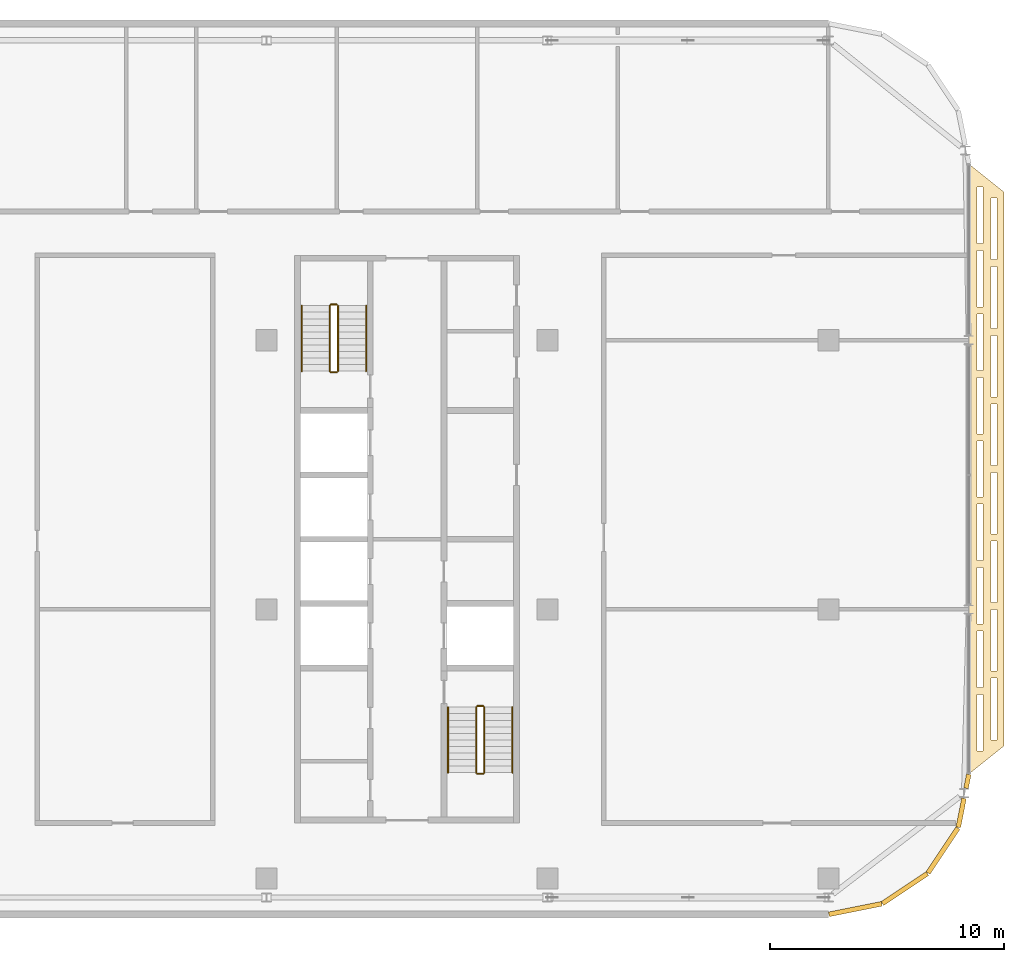
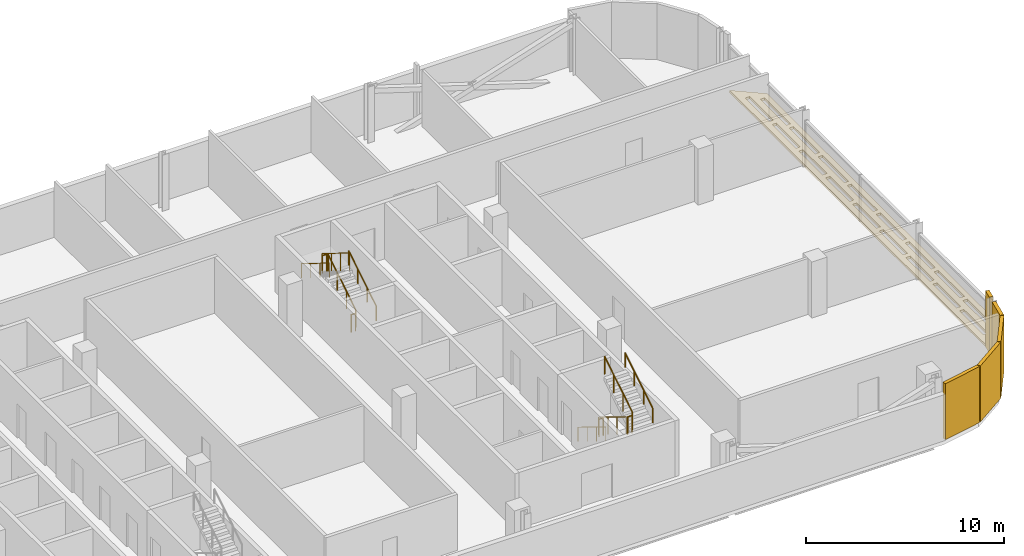
# One storey, part 28 of 29: 12 railings, 6 coverings.
"""IFC4 building model written with IfcOpenShell, lengths in metres."""

from ifc_helpers import new_model, si_unit, direction, frame, origin, origin_2d, place, context, subcontext, project, spatial, polyline, rectangle, circle, outline, extrude, material, layer, layer_set, type_object, element, save


model = new_model("IFC4")

# Units and contexts
model_context = context("Model", 3, precision=1e-05, world=origin(), true_north=direction((0.0, 1.0)))
body_context = subcontext(model_context, "Body", "Model", "MODEL_VIEW")
ifc_project = project(units=[si_unit("LENGTHUNIT", "METRE"), si_unit("AREAUNIT", "SQUARE_METRE"), si_unit("VOLUMEUNIT", "CUBIC_METRE"), si_unit("PLANEANGLEUNIT", "RADIAN"), si_unit("MASSUNIT", "GRAM", prefix="KILO")], contexts=[model_context])

# Site, building, storey
site_placement = place(None, origin())
site = spatial("IfcSite", under=ifc_project, at=site_placement, CompositionType="ELEMENT")
building_placement = place(site_placement, origin())
building = spatial("IfcBuilding", under=site, at=building_placement, Name="Mahtab Terrace Research Tower", CompositionType="ELEMENT")
storey_placement = place(building_placement, frame((0.0, 0.0, 274.699951171875)))
storey = spatial("IfcBuildingStorey", under=building, at=storey_placement, Name="L67", CompositionType="ELEMENT", Elevation=274.699951171875)

# Coverings
ifc_material_1 = material(Name="Black aluminium cladding panel", Category="aluminium")
ifc_layer_1 = layer(ifc_material_1, 0.199951171875)
ifc_layer_set_1 = layer_set([ifc_layer_1], Name="Black metal corner cladding 200")
covering_type_1 = type_object("IfcCoveringType", Name="Black metal corner cladding 200", PredefinedType="CLADDING", material=ifc_layer_set_1)
for number, where, z_axis, x_axis, name in (
    (1, (43.14794921875, -12.800537109375, 0.0), (0.0, 0.0, 1.0), (0.980760981187, 0.195212442692, 0.0), "Corner cladding L67 17"),
    (2, (45.26953125, -11.922119140625, 0.0), (0.0, 0.0, 1.0), (0.831655794326, 0.555291490808, 0.0), "Corner cladding L67 18"),
    (3, (46.89306640625, -10.298583984375, 0.0), (0.0, 0.0, 1.0), (0.555291490808, 0.831655794326, 0.0), "Corner cladding L67 19"),
):
    element("IfcCovering", number, at=place(storey_placement, frame(where, z_axis=z_axis, x_axis=x_axis)), inside=storey, type_object=covering_type_1, Name=name, PredefinedType="CLADDING", context=body_context, shape_type="SweptSolid", body=[
        extrude(rectangle(XDim=2.30126953125, YDim=0.199951171875, at=origin_2d()), origin(), (0.0, 0.0, 1.0), 3.4599609375),
    ])
covering_1_placement = place(storey_placement, frame((47.669677734375, -8.68896484375, 0.0), z_axis=(0.0, 0.0, 1.0), x_axis=(0.195212442692, 0.980760981187, 0.0)))
element("IfcCovering", 4, at=covering_1_placement, inside=storey, type_object=covering_type_1, Name="Corner cladding L67 20", PredefinedType="CLADDING", context=body_context, shape_type="SweptSolid", body=[
    extrude(rectangle(XDim=1.25732421875, YDim=0.199951171875, at=origin_2d()), origin(), (0.0, 0.0, 1.0), 3.4599609375),
])
covering_2_placement = place(storey_placement, frame((47.9375, -7.343505859375, 0.0), z_axis=(0.0, 0.0, 1.0), x_axis=(0.195212442692, 0.980760981187, 0.0)))
element("IfcCovering", 5, at=covering_2_placement, inside=storey, type_object=covering_type_1, Name="Corner cladding L67 21", PredefinedType="CLADDING", context=body_context, shape_type="SweptSolid", body=[
    extrude(rectangle(XDim=0.601806640625, YDim=0.199951171875, at=origin_2d()), origin(), (0.0, 0.0, 1.0), 3.4599609375),
])
ifc_material_2 = material(Name="Black anodised aluminium", Category="aluminium")
ifc_layer_2 = layer(ifc_material_2, 0.14990234375)
ifc_layer_set_2 = layer_set([ifc_layer_2], Name="Horizontal sunshade band")
covering_type_2 = type_object("IfcCoveringType", Name="Horizontal sunshade band", PredefinedType="CLADDING", material=ifc_layer_set_2)
covering_3_placement = place(storey_placement, frame((0.0, 0.0, -0.14990234375)))
element("IfcCovering", 6, at=covering_3_placement, inside=storey, type_object=covering_type_2, Name="Sunshade band L67 22", PredefinedType="CLADDING", context=body_context, shape_type="SweptSolid", body=[
    extrude(outline(polyline([(48.0, -7.029052734375), (48.0, 19.029052734375), (49.5, 17.8291015625), (49.5, -5.8291015625), (48.0, -7.029052734375)]), holes=[polyline([(48.35009765625, -6.049072265625), (48.35009765625, -3.637939453125), (48.60009765625, -3.637939453125), (48.60009765625, -6.049072265625), (48.35009765625, -6.049072265625)]), polyline([(48.35009765625, -3.337890625), (48.35009765625, -0.927001953125), (48.60009765625, -0.927001953125), (48.60009765625, -3.337890625), (48.35009765625, -3.337890625)]), polyline([(48.35009765625, -0.626953125), (48.35009765625, 1.783935546875), (48.60009765625, 1.783935546875), (48.60009765625, -0.626953125), (48.35009765625, -0.626953125)]), polyline([(48.35009765625, 2.083984375), (48.35009765625, 4.4951171875), (48.60009765625, 4.4951171875), (48.60009765625, 2.083984375), (48.35009765625, 2.083984375)]), polyline([(48.35009765625, 4.794921875), (48.35009765625, 7.205078125), (48.60009765625, 7.205078125), (48.60009765625, 4.794921875), (48.35009765625, 4.794921875)]), polyline([(48.35009765625, 7.5048828125), (48.35009765625, 9.916015625), (48.60009765625, 9.916015625), (48.60009765625, 7.5048828125), (48.35009765625, 7.5048828125)]), polyline([(48.35009765625, 10.216064453125), (48.35009765625, 12.626953125), (48.60009765625, 12.626953125), (48.60009765625, 10.216064453125), (48.35009765625, 10.216064453125)]), polyline([(48.35009765625, 12.927001953125), (48.35009765625, 15.337890625), (48.60009765625, 15.337890625), (48.60009765625, 12.927001953125), (48.35009765625, 12.927001953125)]), polyline([(48.35009765625, 15.637939453125), (48.35009765625, 18.049072265625), (48.60009765625, 18.049072265625), (48.60009765625, 15.637939453125), (48.35009765625, 15.637939453125)]), polyline([(48.949951171875, -5.569091796875), (48.949951171875, -2.93896484375), (49.199951171875, -2.93896484375), (49.199951171875, -5.569091796875), (48.949951171875, -5.569091796875)]), polyline([(48.949951171875, -2.638916015625), (48.949951171875, -0.010009765625), (49.199951171875, -0.010009765625), (49.199951171875, -2.638916015625), (48.949951171875, -2.638916015625)]), polyline([(48.949951171875, 0.2900390625), (48.949951171875, 2.919921875), (49.199951171875, 2.919921875), (49.199951171875, 0.2900390625), (48.949951171875, 0.2900390625)]), polyline([(48.949951171875, 3.219970703125), (48.949951171875, 5.85009765625), (49.199951171875, 5.85009765625), (49.199951171875, 3.219970703125), (48.949951171875, 3.219970703125)]), polyline([(48.949951171875, 6.14990234375), (48.949951171875, 8.780029296875), (49.199951171875, 8.780029296875), (49.199951171875, 6.14990234375), (48.949951171875, 6.14990234375)]), polyline([(48.949951171875, 9.080078125), (48.949951171875, 11.708984375), (49.199951171875, 11.708984375), (49.199951171875, 9.080078125), (48.949951171875, 9.080078125)]), polyline([(48.949951171875, 12.009033203125), (48.949951171875, 14.638916015625), (49.199951171875, 14.638916015625), (49.199951171875, 12.009033203125), (48.949951171875, 12.009033203125)]), polyline([(48.949951171875, 14.93896484375), (48.949951171875, 17.569091796875), (49.199951171875, 17.569091796875), (49.199951171875, 14.93896484375), (48.949951171875, 14.93896484375)])]), origin(), (0.0, 0.0, 1.0), 0.14990234375),
])

# Railings
ifc_material_3 = material(Name="Stainless steel AISI 304", Category="steel")
railing_type_1 = type_object("IfcRailingType", Name="Stair guard 1100", PredefinedType="GUARDRAIL", material=ifc_material_3)
railing_1_placement = place(storey_placement, frame((21.050048828125, 10.175048828125, 0.1728515625)))
element("IfcRailing", 7, at=railing_1_placement, inside=storey, type_object=railing_type_1, Name="L67 ST3 stair guard 1", PredefinedType="GUARDRAIL", context=body_context, shape_type="SweptSolid", body=[
    extrude(circle(Radius=0.02392578125, at=origin_2d()), frame((0.0, 0.0, 1.076171875), z_axis=(0.0, 0.851089632645, 0.525020415988), x_axis=(-1.0, 0.0, 0.0)), (0.0, 0.0, 1.0), 3.2900390625),
    extrude(circle(Radius=0.02099609375, at=origin_2d()), origin(), (0.0, 0.0, 1.0), 1.052001953125),
    extrude(circle(Radius=0.02099609375, at=origin_2d()), frame((0.0, 0.933349609375, 0.57568359375)), (0.0, 0.0, 1.0), 1.052001953125),
    extrude(circle(Radius=0.02099609375, at=origin_2d()), frame((0.0, 1.86669921875, 1.151611328125)), (0.0, 0.0, 1.0), 1.052001953125),
    extrude(circle(Radius=0.02099609375, at=origin_2d()), frame((0.0, 2.800048828125, 1.727294921875)), (0.0, 0.0, 1.0), 1.052001953125),
])
railing_2_placement = place(storey_placement, frame((21.0, 13.02490234375, 1.900146484375)))
element("IfcRailing", 8, at=railing_2_placement, inside=storey, type_object=railing_type_1, Name="L67 ST3 stair guard 2", PredefinedType="GUARDRAIL", context=body_context, shape_type="SweptSolid", body=[
    extrude(circle(Radius=0.02392578125, at=origin_2d()), frame((0.0, 0.0, 1.076171875), z_axis=(-1.0, 0.0, 0.0), x_axis=(0.0, -1.0, 0.0)), (0.0, 0.0, 1.0), 0.25),
    extrude(circle(Radius=0.02099609375, at=origin_2d()), origin(), (0.0, 0.0, 1.0), 1.052001953125),
    extrude(circle(Radius=0.02099609375, at=origin_2d()), frame((-0.25, 0.0, 0.0)), (0.0, 0.0, 1.0), 1.052001953125),
])
railing_3_placement = place(storey_placement, frame((20.699951171875, 12.97509765625, 2.07275390625)))
element("IfcRailing", 9, at=railing_3_placement, inside=storey, type_object=railing_type_1, Name="L67 ST3 stair guard 3", PredefinedType="GUARDRAIL", context=body_context, shape_type="SweptSolid", body=[
    extrude(circle(Radius=0.02392578125, at=origin_2d()), frame((0.0, 0.0, 1.076171875), z_axis=(0.0, -0.851089632645, 0.525020415988), x_axis=(1.0, 0.0, 0.0)), (0.0, 0.0, 1.0), 3.2900390625),
    extrude(circle(Radius=0.02099609375, at=origin_2d()), origin(), (0.0, 0.0, 1.0), 1.052001953125),
    extrude(circle(Radius=0.02099609375, at=origin_2d()), frame((0.0, -0.933349609375, 0.57568359375)), (0.0, 0.0, 1.0), 1.052001953125),
    extrude(circle(Radius=0.02099609375, at=origin_2d()), frame((0.0, -1.86669921875, 1.151611328125)), (0.0, 0.0, 1.0), 1.052001953125),
    extrude(circle(Radius=0.02099609375, at=origin_2d()), frame((0.0, -2.800048828125, 1.727294921875)), (0.0, 0.0, 1.0), 1.052001953125),
])
railing_4_placement = place(storey_placement, frame((21.0, 10.125, 0.0)))
element("IfcRailing", 10, at=railing_4_placement, inside=storey, type_object=railing_type_1, Name="L67 ST3 stair guard 4", PredefinedType="GUARDRAIL", context=body_context, shape_type="SweptSolid", body=[
    extrude(circle(Radius=0.02392578125, at=origin_2d()), frame((0.0, 0.0, 1.076171875), z_axis=(-1.0, 0.0, 0.0), x_axis=(0.0, -1.0, 0.0)), (0.0, 0.0, 1.0), 0.25),
    extrude(circle(Radius=0.02099609375, at=origin_2d()), origin(), (0.0, 0.0, 1.0), 1.052001953125),
    extrude(circle(Radius=0.02099609375, at=origin_2d()), frame((-0.25, 0.0, 0.0)), (0.0, 0.0, 1.0), 1.052001953125),
])
railing_5_placement = place(storey_placement, frame((26.949951171875, -4.175048828125, 0.1728515625)))
element("IfcRailing", 11, at=railing_5_placement, inside=storey, type_object=railing_type_1, Name="L67 ST4 stair guard 1", PredefinedType="GUARDRAIL", context=body_context, shape_type="SweptSolid", body=[
    extrude(circle(Radius=0.02392578125, at=origin_2d()), frame((0.0, 0.0, 1.076171875), z_axis=(0.0, -0.851089632645, 0.525020415988), x_axis=(1.0, 0.0, 0.0)), (0.0, 0.0, 1.0), 3.2900390625),
    extrude(circle(Radius=0.02099609375, at=origin_2d()), origin(), (0.0, 0.0, 1.0), 1.052001953125),
    extrude(circle(Radius=0.02099609375, at=origin_2d()), frame((0.0, -0.933349609375, 0.57568359375)), (0.0, 0.0, 1.0), 1.052001953125),
    extrude(circle(Radius=0.02099609375, at=origin_2d()), frame((0.0, -1.86669921875, 1.151611328125)), (0.0, 0.0, 1.0), 1.052001953125),
    extrude(circle(Radius=0.02099609375, at=origin_2d()), frame((0.0, -2.800048828125, 1.727294921875)), (0.0, 0.0, 1.0), 1.052001953125),
])
railing_6_placement = place(storey_placement, frame((27.0, -7.02490234375, 1.900146484375)))
element("IfcRailing", 12, at=railing_6_placement, inside=storey, type_object=railing_type_1, Name="L67 ST4 stair guard 2", PredefinedType="GUARDRAIL", context=body_context, shape_type="SweptSolid", body=[
    extrude(circle(Radius=0.02392578125, at=origin_2d()), frame((0.0, 0.0, 1.076171875), z_axis=(1.0, 0.0, 0.0), x_axis=(0.0, 1.0, 0.0)), (0.0, 0.0, 1.0), 0.25),
    extrude(circle(Radius=0.02099609375, at=origin_2d()), origin(), (0.0, 0.0, 1.0), 1.052001953125),
    extrude(circle(Radius=0.02099609375, at=origin_2d()), frame((0.25, 0.0, 0.0)), (0.0, 0.0, 1.0), 1.052001953125),
])
railing_7_placement = place(storey_placement, frame((27.300048828125, -6.97509765625, 2.07275390625)))
element("IfcRailing", 13, at=railing_7_placement, inside=storey, type_object=railing_type_1, Name="L67 ST4 stair guard 3", PredefinedType="GUARDRAIL", context=body_context, shape_type="SweptSolid", body=[
    extrude(circle(Radius=0.02392578125, at=origin_2d()), frame((0.0, 0.0, 1.076171875), z_axis=(0.0, 0.851089632645, 0.525020415988), x_axis=(-1.0, 0.0, 0.0)), (0.0, 0.0, 1.0), 3.2900390625),
    extrude(circle(Radius=0.02099609375, at=origin_2d()), origin(), (0.0, 0.0, 1.0), 1.052001953125),
    extrude(circle(Radius=0.02099609375, at=origin_2d()), frame((0.0, 0.933349609375, 0.57568359375)), (0.0, 0.0, 1.0), 1.052001953125),
    extrude(circle(Radius=0.02099609375, at=origin_2d()), frame((0.0, 1.86669921875, 1.151611328125)), (0.0, 0.0, 1.0), 1.052001953125),
    extrude(circle(Radius=0.02099609375, at=origin_2d()), frame((0.0, 2.800048828125, 1.727294921875)), (0.0, 0.0, 1.0), 1.052001953125),
])
railing_8_placement = place(storey_placement, frame((27.0, -4.125, 0.0)))
element("IfcRailing", 14, at=railing_8_placement, inside=storey, type_object=railing_type_1, Name="L67 ST4 stair guard 4", PredefinedType="GUARDRAIL", context=body_context, shape_type="SweptSolid", body=[
    extrude(circle(Radius=0.02392578125, at=origin_2d()), frame((0.0, 0.0, 1.076171875), z_axis=(1.0, 0.0, 0.0), x_axis=(0.0, 1.0, 0.0)), (0.0, 0.0, 1.0), 0.25),
    extrude(circle(Radius=0.02099609375, at=origin_2d()), origin(), (0.0, 0.0, 1.0), 1.052001953125),
    extrude(circle(Radius=0.02099609375, at=origin_2d()), frame((0.25, 0.0, 0.0)), (0.0, 0.0, 1.0), 1.052001953125),
])
railing_type_2 = type_object("IfcRailingType", Name="Stair handrail 900", PredefinedType="HANDRAIL", material=ifc_material_3)
railing_9_placement = place(storey_placement, frame((22.25, 10.175048828125, 0.1728515625)))
element("IfcRailing", 15, at=railing_9_placement, inside=storey, type_object=railing_type_2, Name="L67 ST3 stair handrail 1", PredefinedType="HANDRAIL", context=body_context, shape_type="SweptSolid", body=[
    extrude(circle(Radius=0.02392578125, at=origin_2d()), frame((0.0, 0.0, 0.8759765625), z_axis=(0.0, 0.851089632645, 0.525020415988), x_axis=(-1.0, 0.0, 0.0)), (0.0, 0.0, 1.0), 3.2900390625),
    extrude(circle(Radius=0.02099609375, at=origin_2d()), origin(), (0.0, 0.0, 1.0), 0.851806640625),
    extrude(circle(Radius=0.02099609375, at=origin_2d()), frame((0.0, 0.933349609375, 0.57568359375)), (0.0, 0.0, 1.0), 0.851806640625),
    extrude(circle(Radius=0.02099609375, at=origin_2d()), frame((0.0, 1.86669921875, 1.151611328125)), (0.0, 0.0, 1.0), 0.851806640625),
    extrude(circle(Radius=0.02099609375, at=origin_2d()), frame((0.0, 2.800048828125, 1.727294921875)), (0.0, 0.0, 1.0), 0.851806640625),
])
for number, where, name in (
    (16, (19.5, 12.97509765625, 2.07275390625), "L67 ST3 stair handrail 2"),
    (17, (25.75, -4.175048828125, 0.1728515625), "L67 ST4 stair handrail 1"),
):
    element("IfcRailing", number, at=place(storey_placement, frame(where)), inside=storey, type_object=railing_type_2, Name=name, PredefinedType="HANDRAIL", context=body_context, shape_type="SweptSolid", body=[
        extrude(circle(Radius=0.02392578125, at=origin_2d()), frame((0.0, 0.0, 0.8759765625), z_axis=(0.0, -0.851089632645, 0.525020415988), x_axis=(1.0, 0.0, 0.0)), (0.0, 0.0, 1.0), 3.2900390625),
        extrude(circle(Radius=0.02099609375, at=origin_2d()), origin(), (0.0, 0.0, 1.0), 0.851806640625),
        extrude(circle(Radius=0.02099609375, at=origin_2d()), frame((0.0, -0.933349609375, 0.57568359375)), (0.0, 0.0, 1.0), 0.851806640625),
        extrude(circle(Radius=0.02099609375, at=origin_2d()), frame((0.0, -1.86669921875, 1.151611328125)), (0.0, 0.0, 1.0), 0.851806640625),
        extrude(circle(Radius=0.02099609375, at=origin_2d()), frame((0.0, -2.800048828125, 1.727294921875)), (0.0, 0.0, 1.0), 0.851806640625),
    ])
railing_10_placement = place(storey_placement, frame((28.5, -6.97509765625, 2.07275390625)))
element("IfcRailing", 18, at=railing_10_placement, inside=storey, type_object=railing_type_2, Name="L67 ST4 stair handrail 2", PredefinedType="HANDRAIL", context=body_context, shape_type="SweptSolid", body=[
    extrude(circle(Radius=0.02392578125, at=origin_2d()), frame((0.0, 0.0, 0.8759765625), z_axis=(0.0, 0.851089632645, 0.525020415988), x_axis=(-1.0, 0.0, 0.0)), (0.0, 0.0, 1.0), 3.2900390625),
    extrude(circle(Radius=0.02099609375, at=origin_2d()), origin(), (0.0, 0.0, 1.0), 0.851806640625),
    extrude(circle(Radius=0.02099609375, at=origin_2d()), frame((0.0, 0.933349609375, 0.57568359375)), (0.0, 0.0, 1.0), 0.851806640625),
    extrude(circle(Radius=0.02099609375, at=origin_2d()), frame((0.0, 1.86669921875, 1.151611328125)), (0.0, 0.0, 1.0), 0.851806640625),
    extrude(circle(Radius=0.02099609375, at=origin_2d()), frame((0.0, 2.800048828125, 1.727294921875)), (0.0, 0.0, 1.0), 0.851806640625),
])

save(model, "model.ifc")
